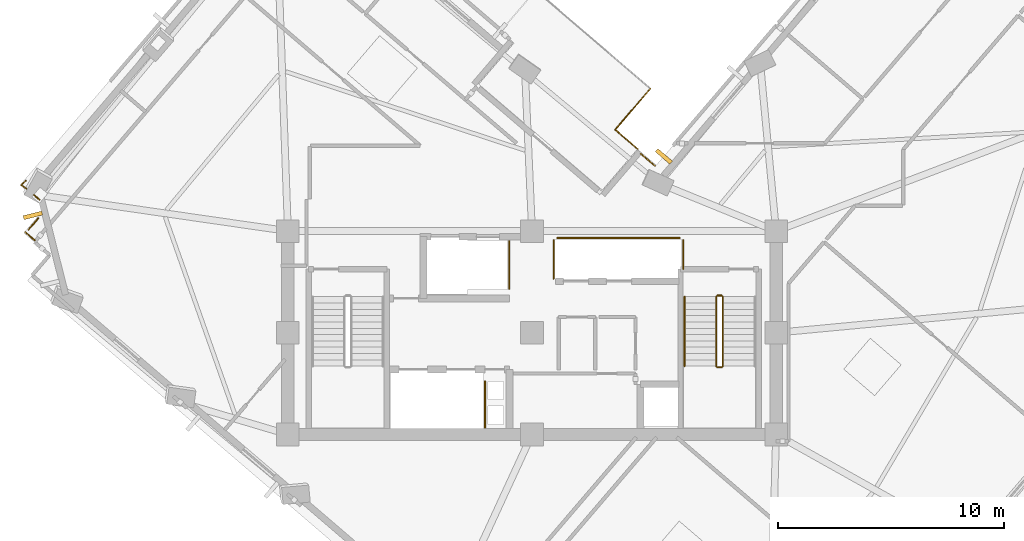
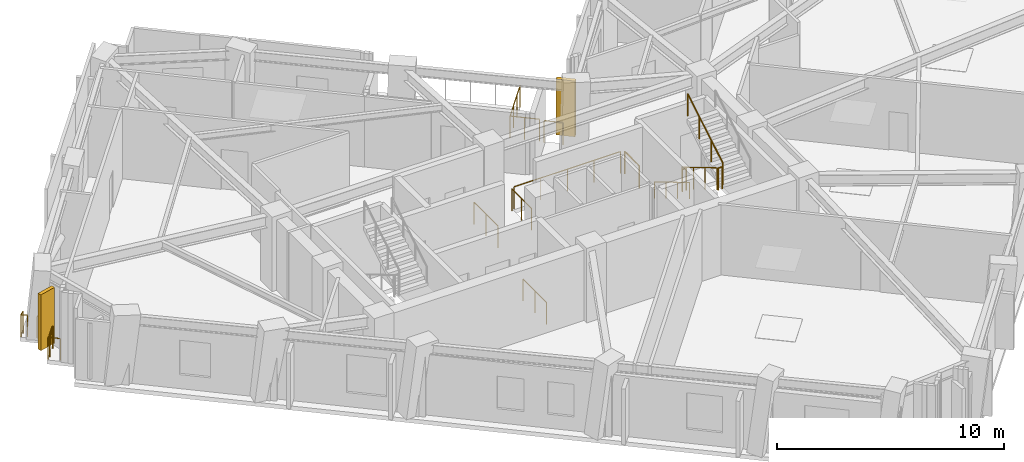
# One storey, part 10 of 12: 17 railings, 2 shading devices.
"""IFC4 building model written with IfcOpenShell, lengths in metres."""

from ifc_helpers import new_model, si_unit, direction, frame, origin, origin_2d, place, context, subcontext, project, spatial, rectangle, circle, extrude, material, layer, layer_set, type_object, element, save


model = new_model("IFC4")

# Units and contexts
model_context = context("Model", 3, precision=1e-05, world=origin(), true_north=direction((0.0, 1.0)))
body_context = subcontext(model_context, "Body", "Model", "MODEL_VIEW")
ifc_project = project(units=[si_unit("LENGTHUNIT", "METRE"), si_unit("AREAUNIT", "SQUARE_METRE"), si_unit("VOLUMEUNIT", "CUBIC_METRE"), si_unit("PLANEANGLEUNIT", "RADIAN"), si_unit("MASSUNIT", "GRAM", prefix="KILO")], contexts=[model_context])

# Site, building, storey
site_placement = place(None, origin())
site = spatial("IfcSite", under=ifc_project, at=site_placement, CompositionType="ELEMENT")
building_placement = place(site_placement, origin())
building = spatial("IfcBuilding", under=site, at=building_placement, Name="Gaonmaruhae Medical Tower", CompositionType="ELEMENT")
storey_placement = place(building_placement, frame((0.0, 0.0, 235.199951171875)))
storey = spatial("IfcBuildingStorey", under=building, at=storey_placement, Name="L56", CompositionType="ELEMENT", Elevation=235.199951171875)

# Railings
ifc_material_1 = material(Name="Stainless steel 316L and laminated safety glass", Category="steel")
ifc_layer = layer(ifc_material_1, 0.080078125)
ifc_layer_set = layer_set([ifc_layer], Name="Stainless steel 316L and laminated safety glass")
railing_type_1 = type_object("IfcRailingType", Name="GD-120 Outdoor Terrace Safety Glass & Steel Balustrade", PredefinedType="BALUSTRADE", material=ifc_layer_set)
railing_1_placement = place(storey_placement, frame((29.47216796875, 20.435791015625, 0.0)))
element("IfcRailing", 1, at=railing_1_placement, inside=storey, type_object=railing_type_1, Name="L56 Terrace Safety Guard RL-SLB-L56-TER-01", PredefinedType="BALUSTRADE", context=body_context, shape_type="SweptSolid", body=[
    extrude(circle(Radius=0.02392578125, at=origin_2d()), frame((0.0, 0.0, 1.17578125), z_axis=(-0.75932257488, 0.650714397626, 0.0), x_axis=(-0.650714397626, -0.75932257488, 0.0)), (0.0, 0.0, 1.0), 1.30615234375),
    extrude(circle(Radius=0.02099609375, at=origin_2d()), origin(), (0.0, 0.0, 1.0), 1.15185546875),
    extrude(circle(Radius=0.02099609375, at=origin_2d()), frame((-0.495849609375, 0.4248046875, 0.0)), (0.0, 0.0, 1.0), 1.15185546875),
    extrude(circle(Radius=0.02099609375, at=origin_2d()), frame((-0.99169921875, 0.849853515625, 0.0)), (0.0, 0.0, 1.0), 1.15185546875),
])
railing_2_placement = place(storey_placement, frame((28.48046875, 21.28564453125, 0.0)))
element("IfcRailing", 2, at=railing_2_placement, inside=storey, type_object=railing_type_1, Name="L56 Terrace Safety Guard RL-SLB-L56-TER-02", PredefinedType="BALUSTRADE", context=body_context, shape_type="SweptSolid", body=[
    extrude(circle(Radius=0.02392578125, at=origin_2d()), frame((0.0, 0.0, 1.17578125), z_axis=(0.650808127272, 0.759242241631, 0.0), x_axis=(-0.759242241631, 0.650808127272, 0.0)), (0.0, 0.0, 1.0), 2.400146484375),
    extrude(circle(Radius=0.02099609375, at=origin_2d()), origin(), (0.0, 0.0, 1.0), 1.15185546875),
    extrude(circle(Radius=0.02099609375, at=origin_2d()), frame((0.520751953125, 0.607421875, 0.0)), (0.0, 0.0, 1.0), 1.15185546875),
    extrude(circle(Radius=0.02099609375, at=origin_2d()), frame((1.041259765625, 1.21484375, 0.0)), (0.0, 0.0, 1.0), 1.15185546875),
    extrude(circle(Radius=0.02099609375, at=origin_2d()), frame((1.56201171875, 1.822265625, 0.0)), (0.0, 0.0, 1.0), 1.15185546875),
])
railing_3_placement = place(storey_placement, frame((2.7939453125, 16.394287109375, 0.0)))
element("IfcRailing", 3, at=railing_3_placement, inside=storey, type_object=railing_type_1, Name="L56 Perimeter Slab Edge Safety Balustrade 05", PredefinedType="BALUSTRADE", context=body_context, shape_type="SweptSolid", body=[
    extrude(circle(Radius=0.02392578125, at=origin_2d()), frame((0.0, 0.0, 1.17578125), z_axis=(-0.759287368885, 0.650755477466, 0.0), x_axis=(-0.650755477466, -0.759287368885, 0.0)), (0.0, 0.0, 1.0), 0.56005859375),
    extrude(circle(Radius=0.02099609375, at=origin_2d()), origin(), (0.0, 0.0, 1.0), 1.15185546875),
    extrude(circle(Radius=0.02099609375, at=origin_2d()), frame((-0.42529296875, 0.364501953125, 0.0)), (0.0, 0.0, 1.0), 1.15185546875),
])
railing_4_placement = place(storey_placement, frame((2.52587890625, 16.865478515625, 0.0)))
element("IfcRailing", 4, at=railing_4_placement, inside=storey, type_object=railing_type_1, Name="L56 Perimeter Slab Edge Safety Balustrade 06", PredefinedType="BALUSTRADE", context=body_context, shape_type="SweptSolid", body=[
    extrude(circle(Radius=0.02392578125, at=origin_2d()), frame((0.0, 0.0, 1.17578125), z_axis=(0.651035042889, 0.759047675005, 0.0), x_axis=(-0.759047675005, 0.651035042889, 0.0)), (0.0, 0.0, 1.0), 0.659912109375),
    extrude(circle(Radius=0.02099609375, at=origin_2d()), origin(), (0.0, 0.0, 1.0), 1.15185546875),
    extrude(circle(Radius=0.02099609375, at=origin_2d()), frame((0.4296875, 0.5009765625, 0.0)), (0.0, 0.0, 1.0), 1.15185546875),
])
railing_5_placement = place(storey_placement, frame((3.0107421875, 18.18408203125, 0.0)))
element("IfcRailing", 5, at=railing_5_placement, inside=storey, type_object=railing_type_1, Name="L56 Perimeter Slab Edge Safety Balustrade 07", PredefinedType="BALUSTRADE", context=body_context, shape_type="SweptSolid", body=[
    extrude(circle(Radius=0.02392578125, at=origin_2d()), frame((0.0, 0.0, 1.17578125), z_axis=(-0.759573147902, 0.650421888459, 0.0), x_axis=(-0.650421888459, -0.759573147902, 0.0)), (0.0, 0.0, 1.0), 0.32666015625),
    extrude(circle(Radius=0.02099609375, at=origin_2d()), origin(), (0.0, 0.0, 1.0), 1.15185546875),
    extrude(circle(Radius=0.02099609375, at=origin_2d()), frame((-0.248046875, 0.21240234375, 0.0)), (0.0, 0.0, 1.0), 1.15185546875),
])
railing_6_placement = place(storey_placement, frame((29.60302734375, 20.231201171875, 0.0)))
element("IfcRailing", 6, at=railing_6_placement, inside=storey, type_object=railing_type_1, Name="L56 Perimeter Slab Edge Safety Balustrade 10", PredefinedType="BALUSTRADE", context=body_context, shape_type="SweptSolid", body=[
    extrude(circle(Radius=0.02392578125, at=origin_2d()), frame((0.0, 0.0, 1.17578125), z_axis=(0.759399912026, -0.650624141587, 0.0), x_axis=(0.650624141587, 0.759399912026, 0.0)), (0.0, 0.0, 1.0), 0.841552734375),
    extrude(circle(Radius=0.02099609375, at=origin_2d()), origin(), (0.0, 0.0, 1.0), 1.15185546875),
    extrude(circle(Radius=0.02099609375, at=origin_2d()), frame((0.63916015625, -0.547607421875, 0.0)), (0.0, 0.0, 1.0), 1.15185546875),
])
railing_7_placement = place(storey_placement, frame((2.43359375, 18.6787109375, 0.0)))
element("IfcRailing", 7, at=railing_7_placement, inside=storey, type_object=railing_type_1, Name="L56 Perimeter Corner Safety Balustrade 11", PredefinedType="BALUSTRADE", context=body_context, shape_type="SweptSolid", body=[
    extrude(circle(Radius=0.02392578125, at=origin_2d()), frame((0.0, 0.0, 1.17578125), z_axis=(-0.833096154523, 0.553128192482, 0.0), x_axis=(-0.553128192482, -0.833096154523, 0.0)), (0.0, 0.0, 1.0), 0.286865234375),
    extrude(circle(Radius=0.02392578125, at=origin_2d()), frame((-0.239013671875, 0.15869140625, 1.17578125), z_axis=(0.738282905436, 0.674491179736, 0.0), x_axis=(-0.674491179736, 0.738282905436, 0.0)), (0.0, 0.0, 1.0), 0.287109375),
    extrude(circle(Radius=0.02099609375, at=origin_2d()), origin(), (0.0, 0.0, 1.0), 1.15185546875),
    extrude(circle(Radius=0.02099609375, at=origin_2d()), frame((-0.239013671875, 0.15869140625, 0.0)), (0.0, 0.0, 1.0), 1.15185546875),
    extrude(circle(Radius=0.02099609375, at=origin_2d()), frame((-0.027099609375, 0.352294921875, 0.0)), (0.0, 0.0, 1.0), 1.15185546875),
])
ifc_material_2 = material(Name="Stainless steel 304 handrail", Category="steel")
railing_type_2 = type_object("IfcRailingType", Name="HR-092 Continuous Stainless Steel Stair Handrail", PredefinedType="HANDRAIL", material=ifc_material_2)
railing_8_placement = place(storey_placement, frame((31.550048828125, 13.89990234375, 0.166748046875)))
element("IfcRailing", 8, at=railing_8_placement, inside=storey, type_object=railing_type_2, Name="L56 ST-02 stair handrail 1", PredefinedType="HANDRAIL", context=body_context, shape_type="SweptSolid", body=[
    extrude(circle(Radius=0.02392578125, at=origin_2d()), frame((0.0, 0.0, 0.8759765625), z_axis=(0.0, -0.859290745958, 0.51148745235), x_axis=(1.0, 0.0, 0.0)), (0.0, 0.0, 1.0), 3.584228515625),
    extrude(circle(Radius=0.02099609375, at=origin_2d()), origin(), (0.0, 0.0, 1.0), 0.851806640625),
    extrude(circle(Radius=0.02099609375, at=origin_2d()), frame((0.0, -1.026611328125, 0.611083984375)), (0.0, 0.0, 1.0), 0.851806640625),
    extrude(circle(Radius=0.02099609375, at=origin_2d()), frame((0.0, -2.05322265625, 1.22216796875)), (0.0, 0.0, 1.0), 0.851806640625),
    extrude(circle(Radius=0.02099609375, at=origin_2d()), frame((0.0, -3.079833984375, 1.833251953125)), (0.0, 0.0, 1.0), 0.851806640625),
])

# Shading devices
ifc_material_3 = material(Name="Pigmented coral precast concrete C45/55", Category="concrete")
shading_device_type = type_object("IfcShadingDeviceType", Name="SD-FIN1 Tower Vertical Coral Precast Shading Fin", PredefinedType="USERDEFINED", material=ifc_material_3)
for number, where, z_axis, x_axis, name in (
    (9, (30.635498046875, 20.104248046875, 0.132568359375), (0.0, 0.0, 1.0), (0.650774217266, 0.759271307335, 0.0), "L56 Vertical Coral Precast Shading Fin EN02"),
    (10, (2.71240234375, 17.49365234375, 0.132568359375), (0.0, 0.0, 1.0), (-0.245002813539, 0.969522367642, 0.0), "L56 Vertical Coral Precast Shading Fin N03B"),
):
    element("IfcShadingDevice", number, at=place(storey_placement, frame(where, z_axis=z_axis, x_axis=x_axis)), inside=storey, type_object=shading_device_type, Name=name, ObjectType="FIN", PredefinedType="USERDEFINED", context=body_context, shape_type="SweptSolid", body=[
        extrude(rectangle(XDim=0.179931640625, YDim=0.85009765625, at=origin_2d()), origin(), (0.0, 0.0, 1.0), 3.0),
    ])

# Railings
ifc_material_4 = material(Name="Stainless steel 304 balustrade", Category="steel")
railing_type_3 = type_object("IfcRailingType", Name="SG-112 Stair Well & Ramp Void Safety Balustrade", PredefinedType="BALUSTRADE", material=ifc_material_4)
railing_9_placement = place(storey_placement, frame((32.949951171875, 13.89990234375, 0.166748046875)))
element("IfcRailing", 11, at=railing_9_placement, inside=storey, type_object=railing_type_3, Name="L56 ST-02 stair guard 1", PredefinedType="BALUSTRADE", context=body_context, shape_type="SweptSolid", body=[
    extrude(circle(Radius=0.02392578125, at=origin_2d()), frame((0.0, 0.0, 1.17578125), z_axis=(0.0, -0.859290745958, 0.51148745235), x_axis=(1.0, 0.0, 0.0)), (0.0, 0.0, 1.0), 3.584228515625),
    extrude(circle(Radius=0.02099609375, at=origin_2d()), origin(), (0.0, 0.0, 1.0), 1.15185546875),
    extrude(circle(Radius=0.02099609375, at=origin_2d()), frame((0.0, -1.026611328125, 0.611083984375)), (0.0, 0.0, 1.0), 1.15185546875),
    extrude(circle(Radius=0.02099609375, at=origin_2d()), frame((0.0, -2.05322265625, 1.22216796875)), (0.0, 0.0, 1.0), 1.15185546875),
    extrude(circle(Radius=0.02099609375, at=origin_2d()), frame((0.0, -3.079833984375, 1.833251953125)), (0.0, 0.0, 1.0), 1.15185546875),
])
railing_10_placement = place(storey_placement, frame((33.0, 10.77001953125, 2.0)))
element("IfcRailing", 12, at=railing_10_placement, inside=storey, type_object=railing_type_3, Name="L56 ST-02 stair guard 2", PredefinedType="BALUSTRADE", context=body_context, shape_type="SweptSolid", body=[
    extrude(circle(Radius=0.02392578125, at=origin_2d()), frame((0.0, 0.0, 1.17578125), z_axis=(1.0, 0.0, 0.0), x_axis=(0.0, 1.0, 0.0)), (0.0, 0.0, 1.0), 0.199951171875),
    extrude(circle(Radius=0.02099609375, at=origin_2d()), origin(), (0.0, 0.0, 1.0), 1.15185546875),
    extrude(circle(Radius=0.02099609375, at=origin_2d()), frame((0.199951171875, 0.0, 0.0)), (0.0, 0.0, 1.0), 1.15185546875),
])
railing_11_placement = place(storey_placement, frame((33.25, 10.820068359375, 2.166748046875)))
element("IfcRailing", 13, at=railing_11_placement, inside=storey, type_object=railing_type_3, Name="L56 ST-02 stair guard 3", PredefinedType="BALUSTRADE", context=body_context, shape_type="SweptSolid", body=[
    extrude(circle(Radius=0.02392578125, at=origin_2d()), frame((0.0, 0.0, 1.17578125), z_axis=(0.0, 0.859290745958, 0.51148745235), x_axis=(-1.0, 0.0, 0.0)), (0.0, 0.0, 1.0), 3.584228515625),
    extrude(circle(Radius=0.02099609375, at=origin_2d()), origin(), (0.0, 0.0, 1.0), 1.15185546875),
    extrude(circle(Radius=0.02099609375, at=origin_2d()), frame((0.0, 1.026611328125, 0.611083984375)), (0.0, 0.0, 1.0), 1.15185546875),
    extrude(circle(Radius=0.02099609375, at=origin_2d()), frame((0.0, 2.05322265625, 1.22216796875)), (0.0, 0.0, 1.0), 1.15185546875),
    extrude(circle(Radius=0.02099609375, at=origin_2d()), frame((0.0, 3.079833984375, 1.833251953125)), (0.0, 0.0, 1.0), 1.15185546875),
])
railing_12_placement = place(storey_placement, frame((33.0, 13.949951171875, 0.0)))
element("IfcRailing", 14, at=railing_12_placement, inside=storey, type_object=railing_type_3, Name="L56 ST-02 stair guard 4", PredefinedType="BALUSTRADE", context=body_context, shape_type="SweptSolid", body=[
    extrude(circle(Radius=0.02392578125, at=origin_2d()), frame((0.0, 0.0, 1.17578125), z_axis=(1.0, 0.0, 0.0), x_axis=(0.0, 1.0, 0.0)), (0.0, 0.0, 1.0), 0.199951171875),
    extrude(circle(Radius=0.02099609375, at=origin_2d()), origin(), (0.0, 0.0, 1.0), 1.15185546875),
    extrude(circle(Radius=0.02099609375, at=origin_2d()), frame((0.199951171875, 0.0, 0.0)), (0.0, 0.0, 1.0), 1.15185546875),
])
railing_13_placement = place(storey_placement, frame((22.719970703125, 10.159912109375, 0.0)))
element("IfcRailing", 15, at=railing_13_placement, inside=storey, type_object=railing_type_3, Name="L56 Shaft Edge Safety Guard 12", PredefinedType="BALUSTRADE", context=body_context, shape_type="SweptSolid", body=[
    extrude(circle(Radius=0.02392578125, at=origin_2d()), frame((0.0, 0.0, 1.17578125), z_axis=(0.0, -1.0, 0.0), x_axis=(1.0, 0.0, 0.0)), (0.0, 0.0, 1.0), 2.06494140625),
    extrude(circle(Radius=0.02099609375, at=origin_2d()), origin(), (0.0, 0.0, 1.0), 1.15185546875),
    extrude(circle(Radius=0.02099609375, at=origin_2d()), frame((0.0, -1.032470703125, 0.0)), (0.0, 0.0, 1.0), 1.15185546875),
    extrude(circle(Radius=0.02099609375, at=origin_2d()), frame((0.0, -2.06494140625, 0.0)), (0.0, 0.0, 1.0), 1.15185546875),
])
railing_14_placement = place(storey_placement, frame((23.794921875, 16.35498046875, 0.0)))
element("IfcRailing", 16, at=railing_14_placement, inside=storey, type_object=railing_type_3, Name="L56 Shaft Edge Safety Guard 13", PredefinedType="BALUSTRADE", context=body_context, shape_type="SweptSolid", body=[
    extrude(circle(Radius=0.02392578125, at=origin_2d()), frame((0.0, 0.0, 1.17578125), z_axis=(0.0, -1.0, 0.0), x_axis=(1.0, 0.0, 0.0)), (0.0, 0.0, 1.0), 2.10986328125),
    extrude(circle(Radius=0.02099609375, at=origin_2d()), origin(), (0.0, 0.0, 1.0), 1.15185546875),
    extrude(circle(Radius=0.02099609375, at=origin_2d()), frame((0.0, -1.054931640625, 0.0)), (0.0, 0.0, 1.0), 1.15185546875),
    extrude(circle(Radius=0.02099609375, at=origin_2d()), frame((0.0, -2.10986328125, 0.0)), (0.0, 0.0, 1.0), 1.15185546875),
])
railing_15_placement = place(storey_placement, frame((31.4951171875, 16.405029296875, 0.0)))
element("IfcRailing", 17, at=railing_15_placement, inside=storey, type_object=railing_type_3, Name="L56 Shaft Edge Safety Guard 14", PredefinedType="BALUSTRADE", context=body_context, shape_type="SweptSolid", body=[
    extrude(circle(Radius=0.02392578125, at=origin_2d()), frame((0.0, 0.0, 1.17578125), z_axis=(0.0, -1.0, 0.0), x_axis=(1.0, 0.0, 0.0)), (0.0, 0.0, 1.0), 1.284912109375),
    extrude(circle(Radius=0.02099609375, at=origin_2d()), origin(), (0.0, 0.0, 1.0), 1.15185546875),
    extrude(circle(Radius=0.02099609375, at=origin_2d()), frame((0.0, -1.284912109375, 0.0)), (0.0, 0.0, 1.0), 1.15185546875),
])
railing_16_placement = place(storey_placement, frame((25.7548828125, 14.695068359375, 0.0)))
element("IfcRailing", 18, at=railing_16_placement, inside=storey, type_object=railing_type_3, Name="L56 Shaft Edge Safety Guard 15", PredefinedType="BALUSTRADE", context=body_context, shape_type="SweptSolid", body=[
    extrude(circle(Radius=0.02392578125, at=origin_2d()), frame((0.0, 0.0, 1.17578125), z_axis=(0.0, 1.0, 0.0), x_axis=(-1.0, 0.0, 0.0)), (0.0, 0.0, 1.0), 1.7099609375),
    extrude(circle(Radius=0.02099609375, at=origin_2d()), origin(), (0.0, 0.0, 1.0), 1.15185546875),
    extrude(circle(Radius=0.02099609375, at=origin_2d()), frame((0.0, 0.85498046875, 0.0)), (0.0, 0.0, 1.0), 1.15185546875),
    extrude(circle(Radius=0.02099609375, at=origin_2d()), frame((0.0, 1.7099609375, 0.0)), (0.0, 0.0, 1.0), 1.15185546875),
])
railing_17_placement = place(storey_placement, frame((25.919921875, 16.4951171875, 0.0)))
element("IfcRailing", 19, at=railing_17_placement, inside=storey, type_object=railing_type_3, Name="L56 Shaft Edge Safety Guard 16", PredefinedType="BALUSTRADE", context=body_context, shape_type="SweptSolid", body=[
    extrude(circle(Radius=0.02392578125, at=origin_2d()), frame((0.0, 0.0, 1.17578125), z_axis=(1.0, 0.0, 0.0), x_axis=(0.0, 1.0, 0.0)), (0.0, 0.0, 1.0), 5.41015625),
    extrude(circle(Radius=0.02099609375, at=origin_2d()), origin(), (0.0, 0.0, 1.0), 1.15185546875),
    extrude(circle(Radius=0.02099609375, at=origin_2d()), frame((1.3525390625, 0.0, 0.0)), (0.0, 0.0, 1.0), 1.15185546875),
    extrude(circle(Radius=0.02099609375, at=origin_2d()), frame((2.705078125, 0.0, 0.0)), (0.0, 0.0, 1.0), 1.15185546875),
    extrude(circle(Radius=0.02099609375, at=origin_2d()), frame((4.0576171875, 0.0, 0.0)), (0.0, 0.0, 1.0), 1.15185546875),
    extrude(circle(Radius=0.02099609375, at=origin_2d()), frame((5.41015625, 0.0, 0.0)), (0.0, 0.0, 1.0), 1.15185546875),
])

save(model, "model.ifc")
